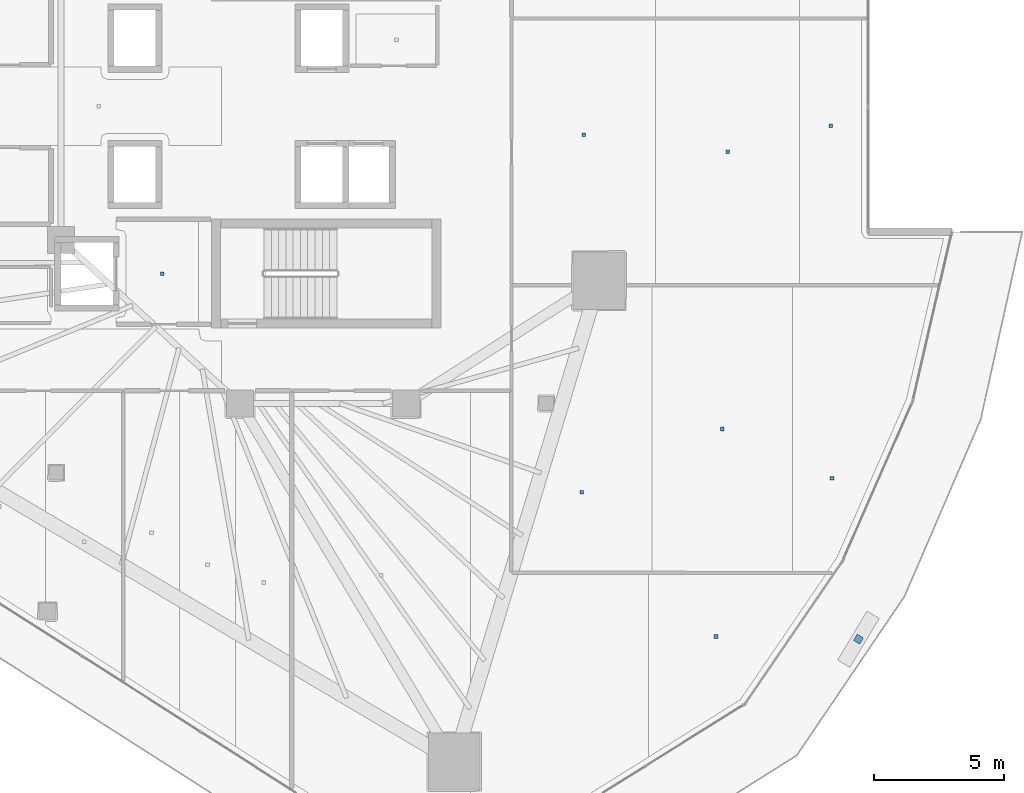
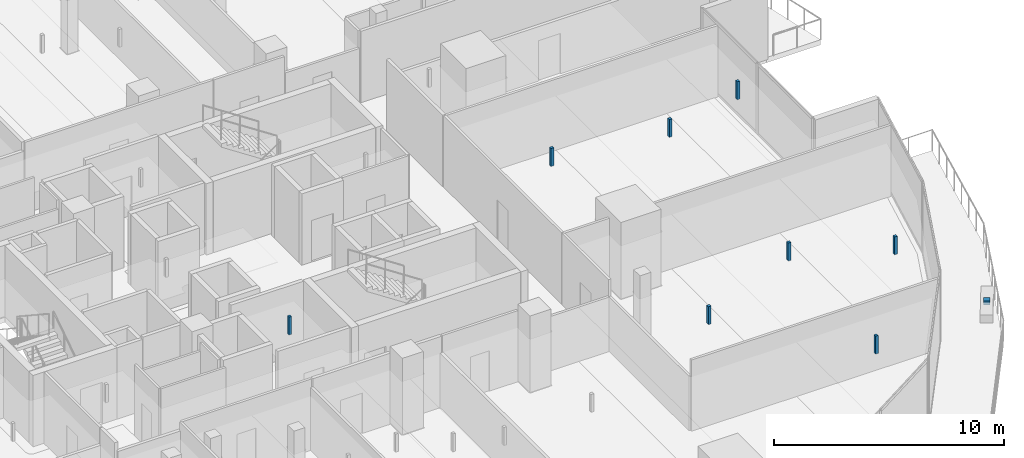
# One storey, part 28 of 38: 9 discrete accessories.
"""IFC4 building model written with IfcOpenShell, lengths in metres."""

from ifc_helpers import new_model, si_unit, direction, frame, origin, origin_2d, place, context, subcontext, project, spatial, rectangle, extrude, material, type_object, element, save


model = new_model("IFC4")

# Units and contexts
model_context = context("Model", 3, precision=1e-05, world=origin(), true_north=direction((0.0, 1.0)))
body_context = subcontext(model_context, "Body", "Model", "MODEL_VIEW")
ifc_project = project(units=[si_unit("LENGTHUNIT", "METRE"), si_unit("AREAUNIT", "SQUARE_METRE"), si_unit("VOLUMEUNIT", "CUBIC_METRE"), si_unit("PLANEANGLEUNIT", "RADIAN"), si_unit("MASSUNIT", "GRAM", prefix="KILO")], contexts=[model_context])

# Site, building, storey
site_placement = place(None, origin())
site = spatial("IfcSite", under=ifc_project, at=site_placement, CompositionType="ELEMENT")
building_placement = place(site_placement, origin())
building = spatial("IfcBuilding", under=site, at=building_placement, Name="Qorvath Tower", CompositionType="ELEMENT")
storey_placement = place(building_placement, frame((0.0, 0.0, 146.25)))
storey = spatial("IfcBuildingStorey", under=building, at=storey_placement, Name="L33", CompositionType="ELEMENT", Elevation=146.25)

# Discrete accessories
ifc_material = material(Name="Galvanised steel bracket", Category="steel")
discrete_accessory_type = type_object("IfcDiscreteAccessoryType", Name="DA-BRACKET", PredefinedType="BRACKET", material=ifc_material)
discrete_accessory_placement = place(storey_placement, frame((0.225830078125, -20.53125, 3.64013671875), z_axis=(0.0, 0.0, 1.0), x_axis=(0.514726864832, 0.857354217707, 0.0)))
element("IfcDiscreteAccessory", 1, at=discrete_accessory_placement, inside=storey, type_object=discrete_accessory_type, Name="Louvre Wave Support Bracket L33-02", PredefinedType="NOTDEFINED", context=body_context, shape_type="SweptSolid", body=[
    extrude(rectangle(XDim=0.280029296875, YDim=0.280029296875, at=origin_2d()), origin(), (0.0, 0.0, 1.0), 0.199951171875),
])
for number, where, z_axis, x_axis, name in (
    (2, (-26.590087890625, -6.449951171875, 2.85986328125), (0.0, 0.0, 1.0), (1.0, 0.0, 0.0), "Acoustic Ceiling Suspension Hanger T1-L33-002"),
    (3, (-5.26318359375, -20.42724609375, 2.85986328125), (0.0, 0.0, 1.0), (1.0, 0.0, 0.0), "Acoustic Ceiling Suspension Hanger T1-L33-028"),
    (4, (-10.432861328125, -14.869873046875, 2.85986328125), (0.0, 0.0, 1.0), (1.0, 0.0, 0.0), "Acoustic Ceiling Suspension Hanger T1-L33-029"),
    (5, (-5.024658203125, -12.431884765625, 2.85986328125), (0.0, 0.0, 1.0), (1.0, 0.0, 0.0), "Acoustic Ceiling Suspension Hanger T1-L33-030"),
    (6, (-0.792724609375, -14.335205078125, 2.85986328125), (0.0, 0.0, 1.0), (1.0, 0.0, 0.0), "Acoustic Ceiling Suspension Hanger T1-L33-031"),
    (7, (-10.363037109375, -1.091796875, 2.85986328125), (0.0, 0.0, 1.0), (1.0, 0.0, 0.0), "Acoustic Ceiling Suspension Hanger T1-L33-032"),
    (8, (-4.815185546875, -1.7529296875, 2.85986328125), (0.0, 0.0, 1.0), (1.0, 0.0, 0.0), "Acoustic Ceiling Suspension Hanger T1-L33-033"),
    (9, (-0.84619140625, -0.754638671875, 2.85986328125), (0.0, 0.0, 1.0), (1.0, 0.0, 0.0), "Acoustic Ceiling Suspension Hanger T1-L33-034"),
):
    element("IfcDiscreteAccessory", number, at=place(storey_placement, frame(where, z_axis=z_axis, x_axis=x_axis)), inside=storey, type_object=discrete_accessory_type, Name=name, PredefinedType="NOTDEFINED", context=body_context, shape_type="SweptSolid", body=[
        extrude(rectangle(XDim=0.139892578125, YDim=0.139892578125, at=origin_2d()), origin(), (0.0, 0.0, 1.0), 0.949951171875),
    ])

save(model, "model.ifc")
